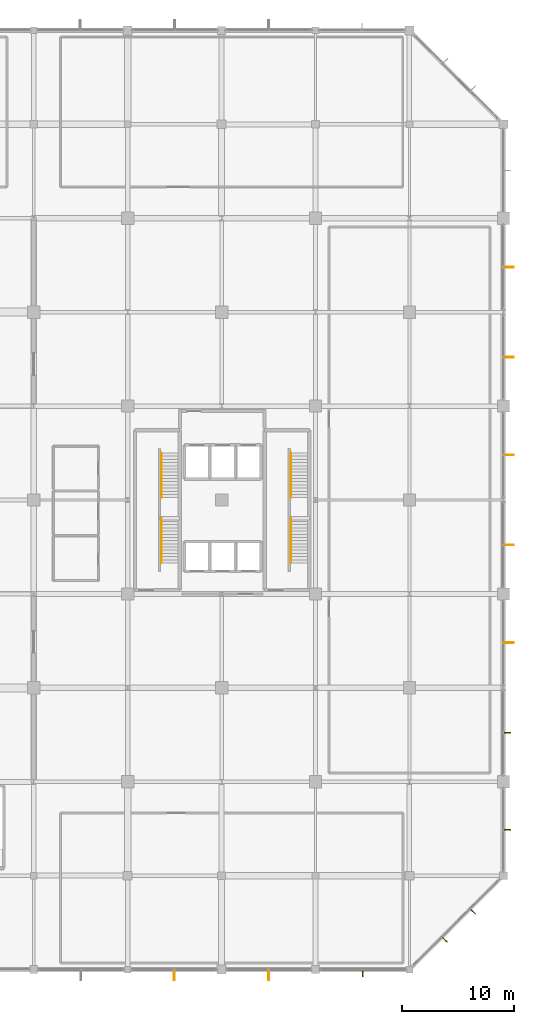
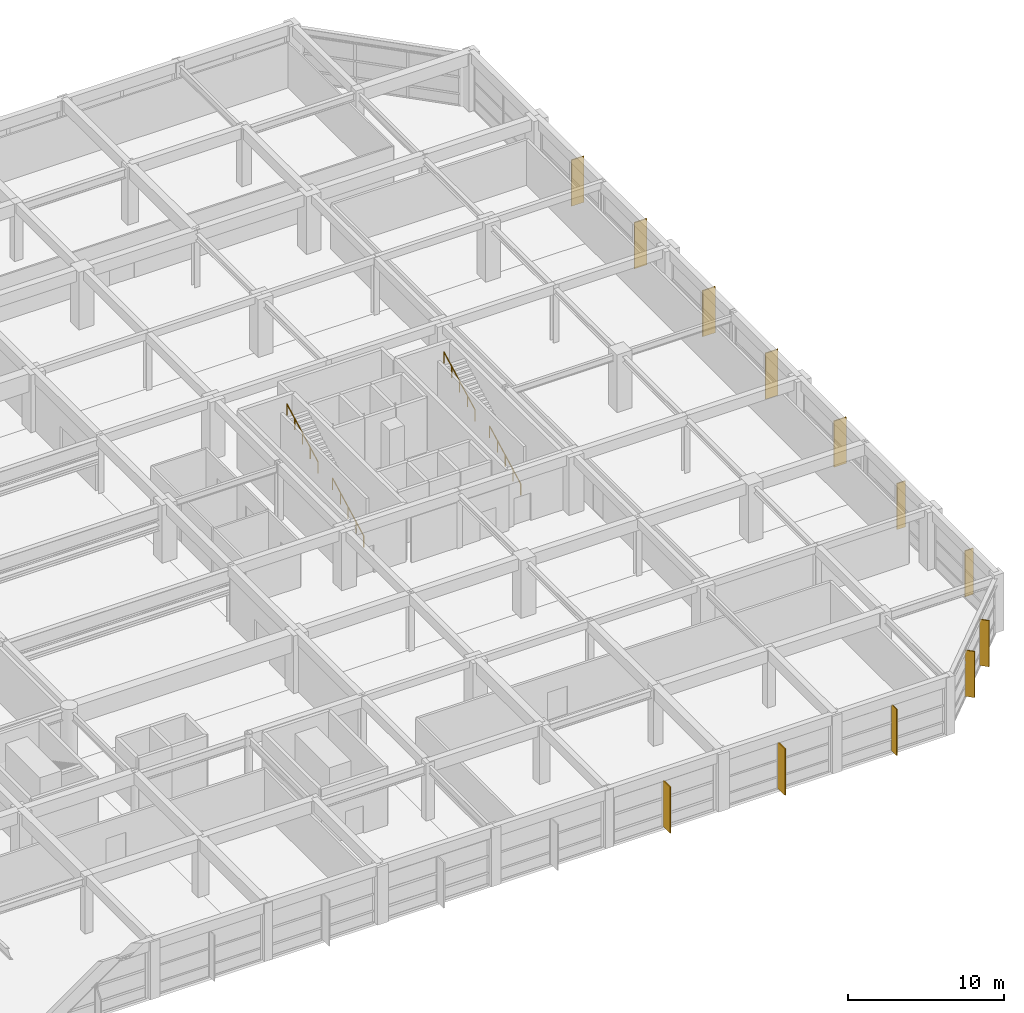
# One storey, part 55 of 56: 12 shading devices, 4 railings.
"""IFC4 building model written with IfcOpenShell, lengths in metres."""

from ifc_helpers import new_model, si_unit, direction, frame, origin, origin_2d, place, context, subcontext, project, spatial, rectangle, circle, extrude, material, type_object, element, save


model = new_model("IFC4")

# Units and contexts
model_context = context("Model", 3, precision=1e-05, world=origin(), true_north=direction((0.0, 1.0)))
body_context = subcontext(model_context, "Body", "Model", "MODEL_VIEW")
ifc_project = project(units=[si_unit("LENGTHUNIT", "METRE"), si_unit("AREAUNIT", "SQUARE_METRE"), si_unit("VOLUMEUNIT", "CUBIC_METRE"), si_unit("PLANEANGLEUNIT", "RADIAN"), si_unit("MASSUNIT", "GRAM", prefix="KILO")], contexts=[model_context])

# Site, building, storey
site_placement = place(None, origin())
site = spatial("IfcSite", under=ifc_project, at=site_placement, CompositionType="ELEMENT")
building_placement = place(site_placement, origin())
building = spatial("IfcBuilding", under=site, at=building_placement, Name="Xuanlan Plaza Opera House", CompositionType="ELEMENT")
storey_placement = place(building_placement, frame((0.0, 0.0, 18.89990234375)))
storey = spatial("IfcBuildingStorey", under=building, at=storey_placement, Name="L04", CompositionType="ELEMENT", Elevation=18.89990234375)

# Shading devices
ifc_material_1 = material(Name="Anodised Aluminium 6063-T6", Category="aluminium")
shading_device_type_1 = type_object("IfcShadingDeviceType", Name="ENV-SHD-BRS01", PredefinedType="JALOUSIE", material=ifc_material_1)
for number, where, z_axis, x_axis, name in (
    (1, (155.425048828125, 16.47509765625, 0.0400390625), (0.0, 0.0, 1.0), (0.0, -1.0, 0.0), "Parametric Sunshade Fin L04-0212"),
    (2, (162.74609375, 19.486572265625, 0.0400390625), (0.0, 0.0, 1.0), (0.707106781187, -0.707106781187, 0.0), "Parametric Sunshade Fin L04-0213"),
    (3, (165.263427734375, 22.00390625, 0.0400390625), (0.0, 0.0, 1.0), (0.707106781187, -0.707106781187, 0.0), "Parametric Sunshade Fin L04-0214"),
    (4, (168.324951171875, 29.300048828125, 0.0400390625), (0.0, 0.0, 1.0), (1.0, 0.0, 0.0), "Parametric Sunshade Fin L04-0215"),
    (5, (168.324951171875, 37.97509765625, 0.0400390625), (0.0, 0.0, 1.0), (1.0, 0.0, 0.0), "Parametric Sunshade Fin L04-0216"),
):
    element("IfcShadingDevice", number, at=place(storey_placement, frame(where, z_axis=z_axis, x_axis=x_axis)), inside=storey, type_object=shading_device_type_1, Name=name, PredefinedType="JALOUSIE", context=body_context, shape_type="SweptSolid", body=[
        extrude(rectangle(XDim=0.639892578125, YDim=0.070068359375, at=origin_2d()), origin(), (0.0, 0.0, 1.0), 3.60009765625),
    ])
shading_device_type_2 = type_object("IfcShadingDeviceType", Name="ENV-SHD-BRS02", PredefinedType="JALOUSIE", material=ifc_material_1)
for number, where, z_axis, x_axis, name in (
    (6, (138.550048828125, 16.3349609375, 0.0400390625), (0.0, 0.0, 1.0), (0.0, -1.0, 0.0), "Parametric Sunshade Fin L04-0210"),
    (7, (147.02490234375, 16.3349609375, 0.0400390625), (0.0, 0.0, 1.0), (0.0, -1.0, 0.0), "Parametric Sunshade Fin L04-0211"),
    (8, (168.465087890625, 46.02490234375, 0.0400390625), (0.0, 0.0, 1.0), (1.0, 0.0, 0.0), "Parametric Sunshade Fin L04-0217"),
    (9, (168.465087890625, 54.77490234375, 0.0400390625), (0.0, 0.0, 1.0), (1.0, 0.0, 0.0), "Parametric Sunshade Fin L04-0218"),
    (10, (168.465087890625, 62.824951171875, 0.0400390625), (0.0, 0.0, 1.0), (1.0, 0.0, 0.0), "Parametric Sunshade Fin L04-0219"),
    (11, (168.465087890625, 71.574951171875, 0.0400390625), (0.0, 0.0, 1.0), (1.0, 0.0, 0.0), "Parametric Sunshade Fin L04-0220"),
    (12, (168.465087890625, 79.625, 0.0400390625), (0.0, 0.0, 1.0), (1.0, 0.0, 0.0), "Parametric Sunshade Fin L04-0221"),
):
    element("IfcShadingDevice", number, at=place(storey_placement, frame(where, z_axis=z_axis, x_axis=x_axis)), inside=storey, type_object=shading_device_type_2, Name=name, PredefinedType="JALOUSIE", context=body_context, shape_type="SweptSolid", body=[
        extrude(rectangle(XDim=0.919921875, YDim=0.080078125, at=origin_2d()), origin(), (0.0, 0.0, 1.0), 3.60009765625),
    ])

# Railings
ifc_material_2 = material(Name="Stainless Steel S30408", Category="steel")
railing_type = type_object("IfcRailingType", Name="INT-RL-HR01", PredefinedType="HANDRAIL", material=ifc_material_2)
for number, where, name in (
    (13, (137.409912109375, 53.169921875, 0.150146484375), "Stair Handrail ST-T1 L04 Flight 1"),
    (14, (137.409912109375, 59.010009765625, 2.400146484375), "Stair Handrail ST-T1 L04 Flight 2"),
    (15, (149.010009765625, 53.169921875, 0.150146484375), "Stair Handrail ST-T2 L04 Flight 1"),
    (16, (149.010009765625, 59.010009765625, 2.400146484375), "Stair Handrail ST-T2 L04 Flight 2"),
):
    element("IfcRailing", number, at=place(storey_placement, frame(where)), inside=storey, type_object=railing_type, Name=name, PredefinedType="HANDRAIL", context=body_context, shape_type="SweptSolid", body=[
        extrude(circle(Radius=0.02392578125, at=origin_2d()), frame((0.0, 0.0, 0.8759765625), z_axis=(0.0, 0.884931142248, 0.465721884261), x_axis=(-1.0, 0.0, 0.0)), (0.0, 0.0, 1.0), 4.5087890625),
        extrude(circle(Radius=0.02099609375, at=origin_2d()), origin(), (0.0, 0.0, 1.0), 0.851806640625),
        extrude(circle(Radius=0.02099609375, at=origin_2d()), frame((0.0, 0.99755859375, 0.52490234375)), (0.0, 0.0, 1.0), 0.851806640625),
        extrude(circle(Radius=0.02099609375, at=origin_2d()), frame((0.0, 1.9951171875, 1.0498046875)), (0.0, 0.0, 1.0), 0.851806640625),
        extrude(circle(Radius=0.02099609375, at=origin_2d()), frame((0.0, 2.992431640625, 1.574951171875)), (0.0, 0.0, 1.0), 0.851806640625),
        extrude(circle(Radius=0.02099609375, at=origin_2d()), frame((0.0, 3.989990234375, 2.099853515625)), (0.0, 0.0, 1.0), 0.851806640625),
    ])

save(model, "model.ifc")
